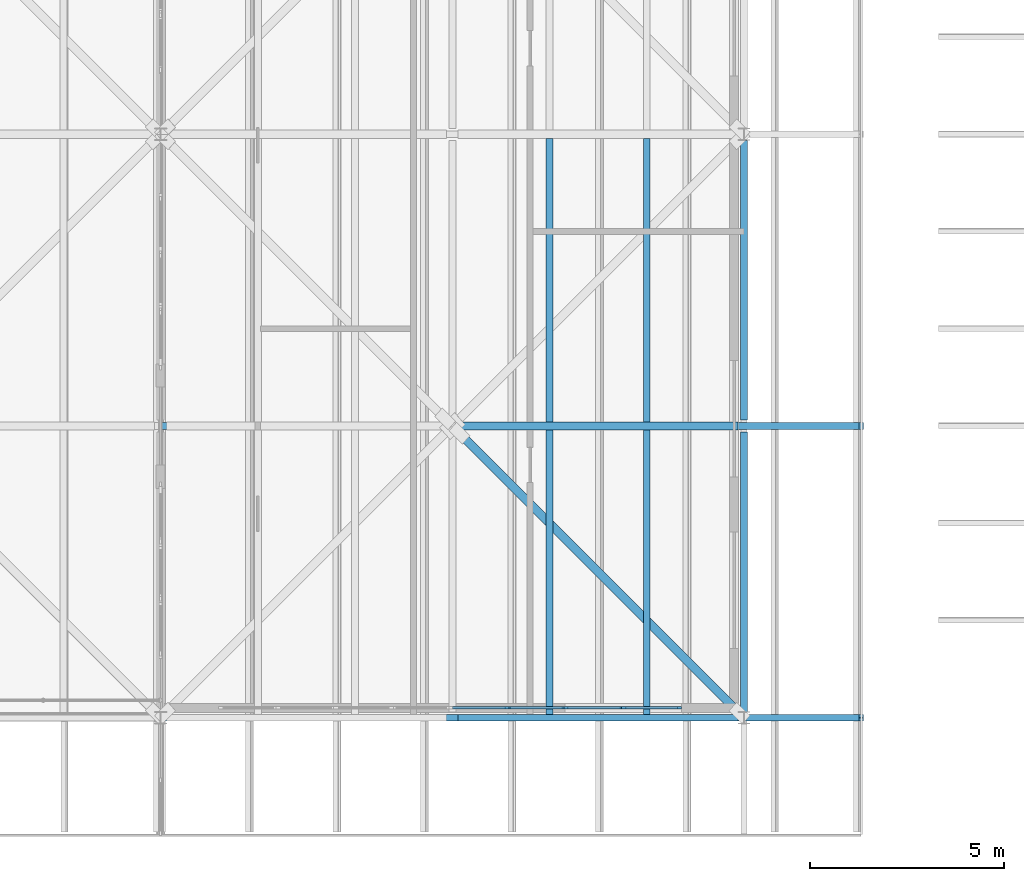
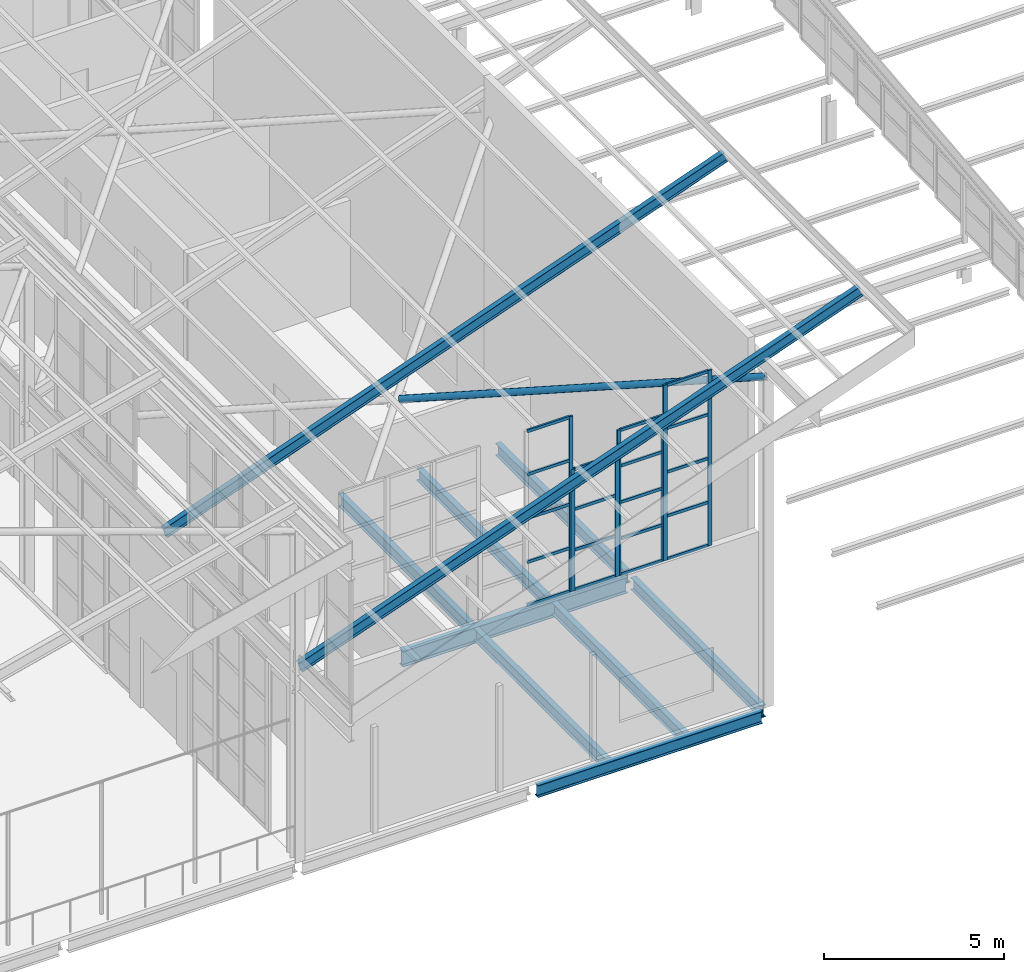
# One storey, part 50 of 483: 29 members, 8 beams, 4 elements without a shape of their own.
"""IFC4 building model written with IfcOpenShell, lengths in metres."""

from ifc_helpers import new_model, si_unit, direction, frame, origin, origin_2d, place, context, subcontext, project, spatial, rectangle, hollow_circle, i_section, extrude, material, material_profile, profile_set, type_object, element, aggregate, save


model = new_model("IFC4")

# Units and contexts
model_context = context("Model", 3, precision=1e-05, world=origin(), true_north=direction((0.0, 1.0)))
body_context = subcontext(model_context, "Body", "Model", "MODEL_VIEW")
ifc_project = project(units=[si_unit("LENGTHUNIT", "METRE"), si_unit("AREAUNIT", "SQUARE_METRE"), si_unit("VOLUMEUNIT", "CUBIC_METRE"), si_unit("PLANEANGLEUNIT", "RADIAN"), si_unit("MASSUNIT", "GRAM", prefix="KILO")], contexts=[model_context])

# Site, building, storey
site_placement = place(None, origin())
site = spatial("IfcSite", under=ifc_project, at=site_placement, CompositionType="ELEMENT")
building_placement = place(site_placement, origin())
building = spatial("IfcBuilding", under=site, at=building_placement, Name="Parallax Yard Mobility Hub", CompositionType="ELEMENT")
storey_placement = place(building_placement, frame((0.0, 0.0, 13.199951171875)))
storey = spatial("IfcBuildingStorey", under=building, at=storey_placement, Name="L04", CompositionType="ELEMENT", Elevation=13.199951171875)

# Curtain wall, member
ifc_material_1 = material(Name="Thermally broken aluminium curtain wall system", Category="aluminium")
curtain_wall_type = type_object("IfcCurtainWallType", Name="Clerestory glazing run 60 x 120 frame", PredefinedType="NOTDEFINED", material=ifc_material_1)
curtain_wall_1_placement = place(storey_placement, origin())
curtain_wall_1 = element("IfcCurtainWall", 1, at=curtain_wall_1_placement, inside=storey, type_object=curtain_wall_type, Name="Clerestory glazing run Rooftop sports deck south bay 1 level L04", PredefinedType="NOTDEFINED")
ifc_material_2 = material(Name="Extruded aluminium", Category="aluminium")
ifc_material_profile_1 = material_profile(ifc_material_2, rectangle(XDim=0.06005859375, YDim=0.1201171875, at=origin_2d()), Name="Mullion 60 x 120")
ifc_profile_set_1 = profile_set([ifc_material_profile_1], Name="Extruded aluminium")
member_type_1 = type_object("IfcMemberType", Name="Mullion 60 x 120", PredefinedType="MULLION", material=ifc_profile_set_1)
member_1_placement = place(storey_placement, frame((136.392822265625, 7.754638671875, 5.800048828125), z_axis=(0.0, 0.0, 1.0), x_axis=(0.0, 1.0, 0.0)))
member_1 = element("IfcMember", 2, at=member_1_placement, type_object=member_type_1, Name="CW4 mullion 2", PredefinedType="MULLION", context=body_context, shape_type="SweptSolid", body=[
    extrude(rectangle(XDim=0.06005859375, YDim=0.1201171875, at=origin_2d()), origin(), (0.0, 0.0, 1.0), 5.938720703125),
])

# Curtain wall, members
curtain_wall_2_placement = place(storey_placement, origin())
curtain_wall_2 = element("IfcCurtainWall", 3, at=curtain_wall_2_placement, inside=storey, type_object=curtain_wall_type, Name="Clerestory glazing run Rooftop sports deck south bay 1 level L04", PredefinedType="NOTDEFINED")
member_2_placement = place(storey_placement, frame((136.452880859375, 7.754638671875, 5.800048828125), z_axis=(0.0, 0.0, 1.0), x_axis=(0.0, 1.0, 0.0)))
member_2 = element("IfcMember", 4, at=member_2_placement, type_object=member_type_1, Name="CW4 mullion 1", PredefinedType="MULLION", context=body_context, shape_type="SweptSolid", body=[
    extrude(rectangle(XDim=0.06005859375, YDim=0.1201171875, at=origin_2d()), origin(), (0.0, 0.0, 1.0), 4.12548828125),
])
member_3_placement = place(storey_placement, frame((137.873779296875, 7.754638671875, 5.800048828125), z_axis=(0.0, 0.0, 1.0), x_axis=(0.0, 1.0, 0.0)))
member_3 = element("IfcMember", 5, at=member_3_placement, type_object=member_type_1, Name="CW4 mullion 2", PredefinedType="MULLION", context=body_context, shape_type="SweptSolid", body=[
    extrude(rectangle(XDim=0.06005859375, YDim=0.1201171875, at=origin_2d()), origin(), (0.0, 0.0, 1.0), 4.12548828125),
])

curtain_wall_3_placement = place(storey_placement, origin())
curtain_wall_3 = element("IfcCurtainWall", 6, at=curtain_wall_3_placement, inside=storey, type_object=curtain_wall_type, Name="Clerestory glazing run Rooftop sports deck south bay 1 level L04", PredefinedType="NOTDEFINED")
member_4_placement = place(storey_placement, frame((137.933837890625, 7.754638671875, 5.800048828125), z_axis=(0.0, 0.0, 1.0), x_axis=(0.0, 1.0, 0.0)))
member_4 = element("IfcMember", 7, at=member_4_placement, type_object=member_type_1, Name="CW4 mullion 1", PredefinedType="MULLION", context=body_context, shape_type="SweptSolid", body=[
    extrude(rectangle(XDim=0.06005859375, YDim=0.1201171875, at=origin_2d()), origin(), (0.0, 0.0, 1.0), 4.935302734375),
])
member_5_placement = place(storey_placement, frame((139.354736328125, 7.754638671875, 5.800048828125), z_axis=(0.0, 0.0, 1.0), x_axis=(0.0, 1.0, 0.0)))
member_5 = element("IfcMember", 8, at=member_5_placement, type_object=member_type_1, Name="CW4 mullion 2", PredefinedType="MULLION", context=body_context, shape_type="SweptSolid", body=[
    extrude(rectangle(XDim=0.06005859375, YDim=0.1201171875, at=origin_2d()), origin(), (0.0, 0.0, 1.0), 4.935302734375),
])

curtain_wall_4_placement = place(storey_placement, origin())
curtain_wall_4 = element("IfcCurtainWall", 9, at=curtain_wall_4_placement, inside=storey, type_object=curtain_wall_type, Name="Clerestory glazing run Rooftop sports deck south bay 1 level L04", PredefinedType="NOTDEFINED")
member_6_placement = place(storey_placement, frame((139.414794921875, 7.754638671875, 5.800048828125), z_axis=(0.0, 0.0, 1.0), x_axis=(0.0, 1.0, 0.0)))
member_6 = element("IfcMember", 10, at=member_6_placement, type_object=member_type_1, Name="CW4 mullion 1", PredefinedType="MULLION", context=body_context, shape_type="SweptSolid", body=[
    extrude(rectangle(XDim=0.06005859375, YDim=0.1201171875, at=origin_2d()), origin(), (0.0, 0.0, 1.0), 5.938720703125),
])
member_7_placement = place(storey_placement, frame((140.835693359375, 7.754638671875, 5.800048828125), z_axis=(0.0, 0.0, 1.0), x_axis=(0.0, 1.0, 0.0)))
member_7 = element("IfcMember", 11, at=member_7_placement, type_object=member_type_1, Name="CW4 mullion 2", PredefinedType="MULLION", context=body_context, shape_type="SweptSolid", body=[
    extrude(rectangle(XDim=0.06005859375, YDim=0.1201171875, at=origin_2d()), origin(), (0.0, 0.0, 1.0), 5.938720703125),
])

# Members
ifc_material_3 = material(Name="Steel ASTM A500 Gr C", Category="steel")
ifc_material_profile_2 = material_profile(ifc_material_3, hollow_circle(Radius=0.109619140625, WallThickness=0.008056640625, at=origin_2d()), Name="HSS219.1x8.0")
ifc_profile_set_2 = profile_set([ifc_material_profile_2], Name="Steel ASTM A500 Gr C")
member_type_2 = type_object("IfcMemberType", Name="Roof brace HSS219.1x8.0", PredefinedType="BRACE", material=ifc_profile_set_2)
member_8_placement = place(storey_placement, frame((135.068359375, 14.931640625, 8.4150390625), z_axis=(0.685254578033, -0.685254578033, 0.246682643432), x_axis=(0.707106781187, 0.707106781187, 0.0)))
element("IfcMember", 12, at=member_8_placement, inside=storey, type_object=member_type_2, Name="Roof X brace pavilion bay 1 2 (half 2)", PredefinedType="BRACE", context=body_context, shape_type="SweptSolid", body=[
    extrude(hollow_circle(Radius=0.109619140625, WallThickness=0.008056640625, at=origin_2d()), origin(), (0.0, 0.0, 1.0), 10.844970703125),
])
ifc_material_4 = material(Name="Steel ASTM A992", Category="steel")
ifc_material_profile_3 = material_profile(ifc_material_4, i_section(OverallWidth=0.1708984375, OverallDepth=0.35498046875, WebThickness=0.007080078125, FlangeThickness=0.01171875, at=origin_2d()), Name="W360x51")
ifc_profile_set_3 = profile_set([ifc_material_profile_3], Name="Steel ASTM A992")
member_type_3 = type_object("IfcMemberType", Name="Roof rafter W360x51", PredefinedType="RAFTER", material=ifc_profile_set_3)
for number, where, z_axis, x_axis, name in (
    (13, (127.56005859375, 7.5, 6.499267578125), (0.940884475378, 0.0, 0.33872762508), (0.0, 1.0, 0.0), "Roof rafter pavilion at y 7.5"),
    (14, (127.56005859375, 15.0, 6.499267578125), (0.940884475378, 0.0, 0.33872762508), (0.0, 1.0, 0.0), "Roof rafter pavilion at y 15"),
):
    element("IfcMember", number, at=place(storey_placement, frame(where, z_axis=z_axis, x_axis=x_axis)), inside=storey, type_object=member_type_3, Name=name, PredefinedType="RAFTER", context=body_context, shape_type="SweptSolid", body=[
        extrude(i_section(OverallWidth=0.1708984375, OverallDepth=0.35498046875, WebThickness=0.007080078125, FlangeThickness=0.01171875, at=origin_2d()), origin(), (0.0, 0.0, 1.0), 19.07763671875),
    ])

# Member
ifc_material_profile_4 = material_profile(ifc_material_2, rectangle(XDim=0.06005859375, YDim=0.10009765625, at=origin_2d()), Name="Transom 60 x 100")
ifc_profile_set_4 = profile_set([ifc_material_profile_4], Name="Extruded aluminium")
member_type_4 = type_object("IfcMemberType", Name="Transom 60 x 100", PredefinedType="USERDEFINED", material=ifc_profile_set_4)
member_9_placement = place(storey_placement, frame((135.001953125, 7.754638671875, 5.830078125), z_axis=(1.0, 0.0, 0.0), x_axis=(0.0, 1.0, 0.0)))
member_9 = element("IfcMember", 15, at=member_9_placement, type_object=member_type_4, Name="CW4 transom 1.1", ObjectType="TRANSOM", PredefinedType="USERDEFINED", context=body_context, shape_type="SweptSolid", body=[
    extrude(rectangle(XDim=0.06005859375, YDim=0.10009765625, at=origin_2d()), origin(), (0.0, 0.0, 1.0), 1.36083984375),
])

member_10_placement = place(storey_placement, frame((135.001953125, 7.754638671875, 7.28466796875), z_axis=(1.0, 0.0, 0.0), x_axis=(0.0, 1.0, 0.0)))
member_10 = element("IfcMember", 16, at=member_10_placement, type_object=member_type_4, Name="CW4 transom 1.2", ObjectType="TRANSOM", PredefinedType="USERDEFINED", context=body_context, shape_type="SweptSolid", body=[
    extrude(rectangle(XDim=0.06005859375, YDim=0.10009765625, at=origin_2d()), origin(), (0.0, 0.0, 1.0), 1.36083984375),
])

member_11_placement = place(storey_placement, frame((135.001953125, 7.754638671875, 8.769287109375), z_axis=(1.0, 0.0, 0.0), x_axis=(0.0, 1.0, 0.0)))
member_11 = element("IfcMember", 17, at=member_11_placement, type_object=member_type_4, Name="CW4 transom 1.3", ObjectType="TRANSOM", PredefinedType="USERDEFINED", context=body_context, shape_type="SweptSolid", body=[
    extrude(rectangle(XDim=0.06005859375, YDim=0.10009765625, at=origin_2d()), origin(), (0.0, 0.0, 1.0), 1.36083984375),
])

member_12_placement = place(storey_placement, frame((135.001953125, 7.754638671875, 10.25390625), z_axis=(1.0, 0.0, 0.0), x_axis=(0.0, 1.0, 0.0)))
member_12 = element("IfcMember", 18, at=member_12_placement, type_object=member_type_4, Name="CW4 transom 1.4", ObjectType="TRANSOM", PredefinedType="USERDEFINED", context=body_context, shape_type="SweptSolid", body=[
    extrude(rectangle(XDim=0.06005859375, YDim=0.10009765625, at=origin_2d()), origin(), (0.0, 0.0, 1.0), 1.36083984375),
])

member_13_placement = place(storey_placement, frame((135.001953125, 7.754638671875, 11.708740234375), z_axis=(1.0, 0.0, 0.0), x_axis=(0.0, 1.0, 0.0)))
member_13 = element("IfcMember", 19, at=member_13_placement, type_object=member_type_4, Name="CW4 transom 1.5", ObjectType="TRANSOM", PredefinedType="USERDEFINED", context=body_context, shape_type="SweptSolid", body=[
    extrude(rectangle(XDim=0.06005859375, YDim=0.10009765625, at=origin_2d()), origin(), (0.0, 0.0, 1.0), 1.36083984375),
])

aggregate(curtain_wall_1, [member_1, member_9, member_10, member_11, member_12, member_13])

member_14_placement = place(storey_placement, frame((136.48291015625, 7.754638671875, 5.830078125), z_axis=(1.0, 0.0, 0.0), x_axis=(0.0, 1.0, 0.0)))
member_14 = element("IfcMember", 20, at=member_14_placement, type_object=member_type_4, Name="CW4 transom 1.1", ObjectType="TRANSOM", PredefinedType="USERDEFINED", context=body_context, shape_type="SweptSolid", body=[
    extrude(rectangle(XDim=0.06005859375, YDim=0.10009765625, at=origin_2d()), origin(), (0.0, 0.0, 1.0), 1.36083984375),
])

member_15_placement = place(storey_placement, frame((136.48291015625, 7.754638671875, 7.175048828125), z_axis=(1.0, 0.0, 0.0), x_axis=(0.0, 1.0, 0.0)))
member_15 = element("IfcMember", 21, at=member_15_placement, type_object=member_type_4, Name="CW4 transom 1.2", ObjectType="TRANSOM", PredefinedType="USERDEFINED", context=body_context, shape_type="SweptSolid", body=[
    extrude(rectangle(XDim=0.06005859375, YDim=0.10009765625, at=origin_2d()), origin(), (0.0, 0.0, 1.0), 1.36083984375),
])

member_16_placement = place(storey_placement, frame((136.48291015625, 7.754638671875, 8.55029296875), z_axis=(1.0, 0.0, 0.0), x_axis=(0.0, 1.0, 0.0)))
member_16 = element("IfcMember", 22, at=member_16_placement, type_object=member_type_4, Name="CW4 transom 1.3", ObjectType="TRANSOM", PredefinedType="USERDEFINED", context=body_context, shape_type="SweptSolid", body=[
    extrude(rectangle(XDim=0.06005859375, YDim=0.10009765625, at=origin_2d()), origin(), (0.0, 0.0, 1.0), 1.36083984375),
])

member_17_placement = place(storey_placement, frame((136.48291015625, 7.754638671875, 9.8955078125), z_axis=(1.0, 0.0, 0.0), x_axis=(0.0, 1.0, 0.0)))
member_17 = element("IfcMember", 23, at=member_17_placement, type_object=member_type_4, Name="CW4 transom 1.4", ObjectType="TRANSOM", PredefinedType="USERDEFINED", context=body_context, shape_type="SweptSolid", body=[
    extrude(rectangle(XDim=0.06005859375, YDim=0.10009765625, at=origin_2d()), origin(), (0.0, 0.0, 1.0), 1.36083984375),
])

aggregate(curtain_wall_2, [member_2, member_3, member_14, member_15, member_16, member_17])

member_18_placement = place(storey_placement, frame((137.9638671875, 7.754638671875, 5.830078125), z_axis=(1.0, 0.0, 0.0), x_axis=(0.0, 1.0, 0.0)))
member_18 = element("IfcMember", 24, at=member_18_placement, type_object=member_type_4, Name="CW4 transom 1.1", ObjectType="TRANSOM", PredefinedType="USERDEFINED", context=body_context, shape_type="SweptSolid", body=[
    extrude(rectangle(XDim=0.06005859375, YDim=0.10009765625, at=origin_2d()), origin(), (0.0, 0.0, 1.0), 1.36083984375),
])

member_19_placement = place(storey_placement, frame((137.9638671875, 7.754638671875, 7.033935546875), z_axis=(1.0, 0.0, 0.0), x_axis=(0.0, 1.0, 0.0)))
member_19 = element("IfcMember", 25, at=member_19_placement, type_object=member_type_4, Name="CW4 transom 1.2", ObjectType="TRANSOM", PredefinedType="USERDEFINED", context=body_context, shape_type="SweptSolid", body=[
    extrude(rectangle(XDim=0.06005859375, YDim=0.10009765625, at=origin_2d()), origin(), (0.0, 0.0, 1.0), 1.36083984375),
])

member_20_placement = place(storey_placement, frame((137.9638671875, 7.754638671875, 8.267822265625), z_axis=(1.0, 0.0, 0.0), x_axis=(0.0, 1.0, 0.0)))
member_20 = element("IfcMember", 26, at=member_20_placement, type_object=member_type_4, Name="CW4 transom 1.3", ObjectType="TRANSOM", PredefinedType="USERDEFINED", context=body_context, shape_type="SweptSolid", body=[
    extrude(rectangle(XDim=0.06005859375, YDim=0.10009765625, at=origin_2d()), origin(), (0.0, 0.0, 1.0), 1.36083984375),
])

member_21_placement = place(storey_placement, frame((137.9638671875, 7.754638671875, 9.501708984375), z_axis=(1.0, 0.0, 0.0), x_axis=(0.0, 1.0, 0.0)))
member_21 = element("IfcMember", 27, at=member_21_placement, type_object=member_type_4, Name="CW4 transom 1.4", ObjectType="TRANSOM", PredefinedType="USERDEFINED", context=body_context, shape_type="SweptSolid", body=[
    extrude(rectangle(XDim=0.06005859375, YDim=0.10009765625, at=origin_2d()), origin(), (0.0, 0.0, 1.0), 1.36083984375),
])

member_22_placement = place(storey_placement, frame((137.9638671875, 7.754638671875, 10.70556640625), z_axis=(1.0, 0.0, 0.0), x_axis=(0.0, 1.0, 0.0)))
member_22 = element("IfcMember", 28, at=member_22_placement, type_object=member_type_4, Name="CW4 transom 1.5", ObjectType="TRANSOM", PredefinedType="USERDEFINED", context=body_context, shape_type="SweptSolid", body=[
    extrude(rectangle(XDim=0.06005859375, YDim=0.10009765625, at=origin_2d()), origin(), (0.0, 0.0, 1.0), 1.36083984375),
])

aggregate(curtain_wall_3, [member_4, member_5, member_18, member_19, member_20, member_21, member_22])

member_23_placement = place(storey_placement, frame((139.444580078125, 7.754638671875, 5.830078125), z_axis=(1.0, 0.0, 0.0), x_axis=(0.0, 1.0, 0.0)))
member_23 = element("IfcMember", 29, at=member_23_placement, type_object=member_type_4, Name="CW4 transom 1.1", ObjectType="TRANSOM", PredefinedType="USERDEFINED", context=body_context, shape_type="SweptSolid", body=[
    extrude(rectangle(XDim=0.06005859375, YDim=0.10009765625, at=origin_2d()), origin(), (0.0, 0.0, 1.0), 1.361083984375),
])

member_24_placement = place(storey_placement, frame((139.444580078125, 7.754638671875, 7.28466796875), z_axis=(1.0, 0.0, 0.0), x_axis=(0.0, 1.0, 0.0)))
member_24 = element("IfcMember", 30, at=member_24_placement, type_object=member_type_4, Name="CW4 transom 1.2", ObjectType="TRANSOM", PredefinedType="USERDEFINED", context=body_context, shape_type="SweptSolid", body=[
    extrude(rectangle(XDim=0.06005859375, YDim=0.10009765625, at=origin_2d()), origin(), (0.0, 0.0, 1.0), 1.361083984375),
])

member_25_placement = place(storey_placement, frame((139.444580078125, 7.754638671875, 8.769287109375), z_axis=(1.0, 0.0, 0.0), x_axis=(0.0, 1.0, 0.0)))
member_25 = element("IfcMember", 31, at=member_25_placement, type_object=member_type_4, Name="CW4 transom 1.3", ObjectType="TRANSOM", PredefinedType="USERDEFINED", context=body_context, shape_type="SweptSolid", body=[
    extrude(rectangle(XDim=0.06005859375, YDim=0.10009765625, at=origin_2d()), origin(), (0.0, 0.0, 1.0), 1.361083984375),
])

member_26_placement = place(storey_placement, frame((139.444580078125, 7.754638671875, 10.25390625), z_axis=(1.0, 0.0, 0.0), x_axis=(0.0, 1.0, 0.0)))
member_26 = element("IfcMember", 32, at=member_26_placement, type_object=member_type_4, Name="CW4 transom 1.4", ObjectType="TRANSOM", PredefinedType="USERDEFINED", context=body_context, shape_type="SweptSolid", body=[
    extrude(rectangle(XDim=0.06005859375, YDim=0.10009765625, at=origin_2d()), origin(), (0.0, 0.0, 1.0), 1.361083984375),
])

member_27_placement = place(storey_placement, frame((139.444580078125, 7.754638671875, 11.708740234375), z_axis=(1.0, 0.0, 0.0), x_axis=(0.0, 1.0, 0.0)))
member_27 = element("IfcMember", 33, at=member_27_placement, type_object=member_type_4, Name="CW4 transom 1.5", ObjectType="TRANSOM", PredefinedType="USERDEFINED", context=body_context, shape_type="SweptSolid", body=[
    extrude(rectangle(XDim=0.06005859375, YDim=0.10009765625, at=origin_2d()), origin(), (0.0, 0.0, 1.0), 1.361083984375),
])

aggregate(curtain_wall_4, [member_6, member_7, member_23, member_24, member_25, member_26, member_27])

# Beams
ifc_material_profile_5 = material_profile(ifc_material_4, i_section(OverallWidth=0.177978515625, OverallDepth=0.406005859375, WebThickness=0.0078125, FlangeThickness=0.0126953125, FilletRadius=0.01025390625, at=origin_2d()), Name="W410x60")
ifc_profile_set_5 = profile_set([ifc_material_profile_5], Name="Steel ASTM A992")
beam_type_1 = type_object("IfcBeamType", Name="W410x60 secondary beam", PredefinedType="JOIST", material=ifc_profile_set_5)
beam_1_placement = place(storey_placement, frame((137.5, 7.589599609375, -0.343017578125), z_axis=(0.0, 1.0, 0.0), x_axis=(-1.0, 0.0, 0.0)))
element("IfcBeam", 34, at=beam_1_placement, inside=storey, type_object=beam_type_1, Name="Secondary beam B1 level L04, 2.5 m east of line 19 of mobility service centre and workshops, span 1", PredefinedType="JOIST", context=body_context, shape_type="SweptSolid", body=[
    extrude(i_section(OverallWidth=0.177978515625, OverallDepth=0.406005859375, WebThickness=0.0078125, FlangeThickness=0.0126953125, FilletRadius=0.01025390625, at=origin_2d()), origin(), (0.0, 0.0, 1.0), 7.305908203125),
])
beam_2_placement = place(storey_placement, frame((137.5, 15.1044921875, -0.343017578125), z_axis=(0.0, 1.0, 0.0), x_axis=(-1.0, 0.0, 0.0)))
element("IfcBeam", 35, at=beam_2_placement, inside=storey, type_object=beam_type_1, Name="Secondary beam B1 level L04, 2.5 m east of line 19 of mobility service centre and workshops, span 2", PredefinedType="JOIST", context=body_context, shape_type="SweptSolid", body=[
    extrude(i_section(OverallWidth=0.177978515625, OverallDepth=0.406005859375, WebThickness=0.0078125, FlangeThickness=0.0126953125, FilletRadius=0.01025390625, at=origin_2d()), origin(), (0.0, 0.0, 1.0), 7.291015625),
])
beam_3_placement = place(storey_placement, frame((140.0, 7.589599609375, -0.343017578125), z_axis=(0.0, 1.0, 0.0), x_axis=(-1.0, 0.0, 0.0)))
element("IfcBeam", 36, at=beam_3_placement, inside=storey, type_object=beam_type_1, Name="Secondary beam B1 level L04, 5 m east of line 19 of mobility service centre and workshops, span 1", PredefinedType="JOIST", context=body_context, shape_type="SweptSolid", body=[
    extrude(i_section(OverallWidth=0.177978515625, OverallDepth=0.406005859375, WebThickness=0.0078125, FlangeThickness=0.0126953125, FilletRadius=0.01025390625, at=origin_2d()), origin(), (0.0, 0.0, 1.0), 7.305908203125),
])
beam_4_placement = place(storey_placement, frame((140.0, 15.1044921875, -0.343017578125), z_axis=(0.0, 1.0, 0.0), x_axis=(-1.0, 0.0, 0.0)))
element("IfcBeam", 37, at=beam_4_placement, inside=storey, type_object=beam_type_1, Name="Secondary beam B1 level L04, 5 m east of line 19 of mobility service centre and workshops, span 2", PredefinedType="JOIST", context=body_context, shape_type="SweptSolid", body=[
    extrude(i_section(OverallWidth=0.177978515625, OverallDepth=0.406005859375, WebThickness=0.0078125, FlangeThickness=0.0126953125, FilletRadius=0.01025390625, at=origin_2d()), origin(), (0.0, 0.0, 1.0), 7.291015625),
])
ifc_material_profile_6 = material_profile(ifc_material_4, i_section(OverallWidth=0.178955078125, OverallDepth=0.408935546875, WebThickness=0.0087890625, FlangeThickness=0.014404296875, FilletRadius=0.01025390625, at=origin_2d()), Name="W410x67")
ifc_profile_set_6 = profile_set([ifc_material_profile_6], Name="Steel ASTM A992")
beam_type_2 = type_object("IfcBeamType", Name="W410x67 edge beam", PredefinedType="SPANDREL", material=ifc_profile_set_6)
for number, where, z_axis, x_axis, name in (
    (38, (142.5, 7.653564453125, -0.344482421875), (0.0, 1.0, 0.0), (-1.0, 0.0, 0.0), "Edge beam SB3 level L04, line 20 of mobility service centre and workshops, span 1"),
    (39, (142.5, 15.153564453125, -0.344482421875), (0.0, 1.0, 0.0), (-1.0, 0.0, 0.0), "Edge beam SB3 level L04, line 20 of mobility service centre and workshops, span 2"),
):
    element("IfcBeam", number, at=place(storey_placement, frame(where, z_axis=z_axis, x_axis=x_axis)), inside=storey, type_object=beam_type_2, Name=name, PredefinedType="SPANDREL", context=body_context, shape_type="SweptSolid", body=[
        extrude(i_section(OverallWidth=0.178955078125, OverallDepth=0.408935546875, WebThickness=0.0087890625, FlangeThickness=0.014404296875, FilletRadius=0.01025390625, at=origin_2d()), origin(), (0.0, 0.0, 1.0), 7.19287109375),
    ])
beam_5_placement = place(storey_placement, frame((135.152587890625, 7.5, -0.344482421875), z_axis=(1.0, 0.0, 0.0), x_axis=(0.0, 1.0, 0.0)))
element("IfcBeam", 40, at=beam_5_placement, inside=storey, type_object=beam_type_2, Name="Edge beam SB3 level L04, line B of mobility service centre and workshops, span 6", PredefinedType="SPANDREL", context=body_context, shape_type="SweptSolid", body=[
    extrude(i_section(OverallWidth=0.178955078125, OverallDepth=0.408935546875, WebThickness=0.0087890625, FlangeThickness=0.014404296875, FilletRadius=0.01025390625, at=origin_2d()), origin(), (0.0, 0.0, 1.0), 7.19482421875),
])
ifc_material_profile_7 = material_profile(ifc_material_4, i_section(OverallWidth=0.208984375, OverallDepth=0.532958984375, WebThickness=0.01025390625, FlangeThickness=0.015625, FilletRadius=0.0126953125, at=origin_2d()), Name="W530x92")
ifc_profile_set_7 = profile_set([ifc_material_profile_7], Name="Steel ASTM A992")
beam_type_3 = type_object("IfcBeamType", Name="W530x92 longitudinal beam", PredefinedType="BEAM", material=ifc_profile_set_7)
beam_6_placement = place(storey_placement, frame((135.152587890625, 15.0, -0.406494140625), z_axis=(1.0, 0.0, 0.0), x_axis=(0.0, 1.0, 0.0)))
element("IfcBeam", 41, at=beam_6_placement, inside=storey, type_object=beam_type_3, Name="Longitudinal beam SB6 level L04, line C of mobility service centre and workshops, span 6", PredefinedType="BEAM", context=body_context, shape_type="SweptSolid", body=[
    extrude(i_section(OverallWidth=0.208984375, OverallDepth=0.532958984375, WebThickness=0.01025390625, FlangeThickness=0.015625, FilletRadius=0.0126953125, at=origin_2d()), origin(), (0.0, 0.0, 1.0), 7.19482421875),
])

save(model, "model.ifc")
